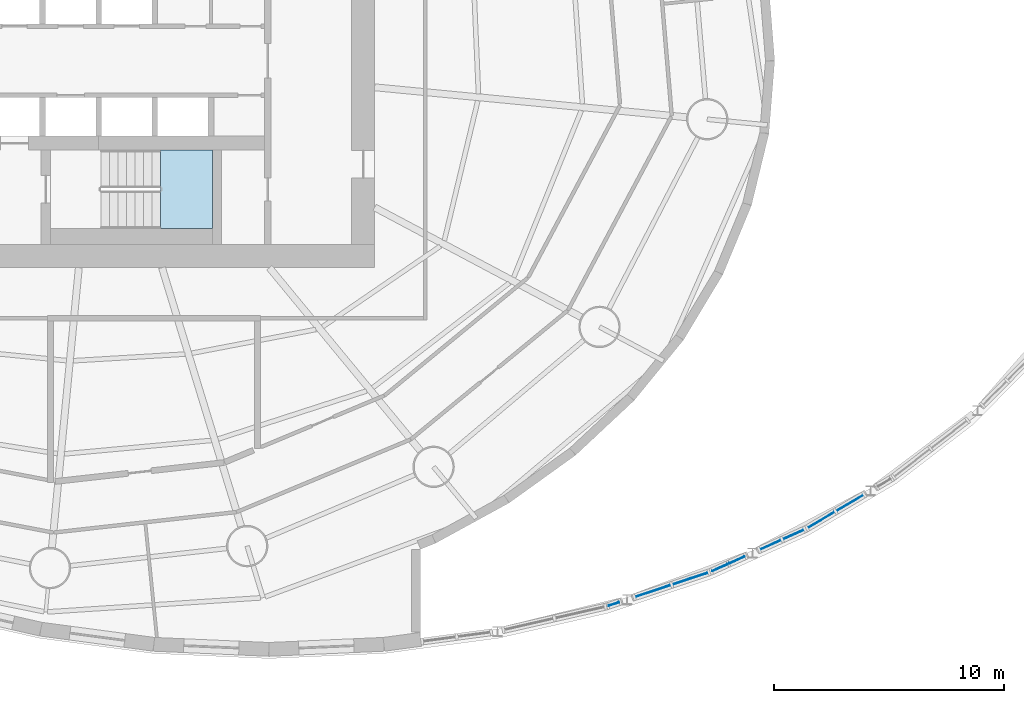
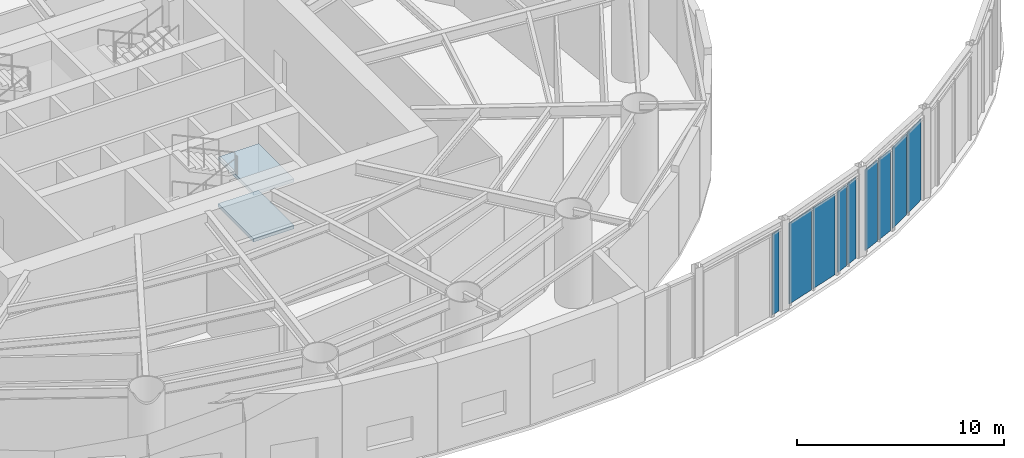
# One storey, part 10 of 19: 9 plates, 2 slabs, 6 elements without a shape of their own.
"""IFC4 building model written with IfcOpenShell, lengths in metres."""

from ifc_helpers import new_model, si_unit, direction, frame, origin, origin_2d, place, context, subcontext, project, spatial, polyline, rectangle, outline, extrude, material, layer, layer_set, type_object, element, aggregate, save


model = new_model("IFC4")

# Units and contexts
model_context = context("Model", 3, precision=1e-05, world=origin(), true_north=direction((0.0, 1.0)))
body_context = subcontext(model_context, "Body", "Model", "MODEL_VIEW")
ifc_project = project(units=[si_unit("LENGTHUNIT", "METRE"), si_unit("AREAUNIT", "SQUARE_METRE"), si_unit("VOLUMEUNIT", "CUBIC_METRE"), si_unit("PLANEANGLEUNIT", "RADIAN"), si_unit("MASSUNIT", "GRAM", prefix="KILO")], contexts=[model_context])

# Site, building, storey
site_placement = place(None, origin())
site = spatial("IfcSite", under=ifc_project, at=site_placement, CompositionType="ELEMENT")
building_placement = place(site_placement, origin())
building = spatial("IfcBuilding", under=site, at=building_placement, Name="Vermilion Reach Broadcast Tower", CompositionType="ELEMENT")
storey_placement = place(building_placement, frame((0.0, 0.0, 26.0)))
storey = spatial("IfcBuildingStorey", under=building, at=storey_placement, Name="L03", CompositionType="ELEMENT", Elevation=26.0)

# Curtain wall, plate
ifc_material_1 = material(Name="Low-e laminated clear glass in aluminium frame", Category="aluminium")
curtain_wall_type = type_object("IfcCurtainWallType", Name="Atrium outer wall curtain wall", PredefinedType="NOTDEFINED", material=ifc_material_1)
placement = place(storey_placement, origin())
curtain_wall_1 = element("IfcCurtainWall", 1, at=placement, inside=storey, type_object=curtain_wall_type, Name="Atrium wall L03 03-1", PredefinedType="NOTDEFINED")
ifc_material_2 = material(Name="Low-e laminated clear glass", Category="glass")
ifc_layer_1 = layer(ifc_material_2, 0.035888671875)
ifc_layer_set_1 = layer_set([ifc_layer_1], Name="Atrium outer wall glass panel")
plate_type = type_object("IfcPlateType", Name="Atrium outer wall glass panel", PredefinedType="CURTAIN_PANEL", material=ifc_layer_set_1)
plate_1_placement = place(storey_placement, frame((16.40771484375, -23.626708984375, 0.0), z_axis=(0.0, 0.0, 1.0), x_axis=(0.949015935462, 0.315228098746, 0.0)))
plate_1 = element("IfcPlate", 2, at=plate_1_placement, type_object=plate_type, Name="Atrium wall glass panel L03 03-1.1.1", PredefinedType="CURTAIN_PANEL", context=body_context, shape_type="SweptSolid", body=[
    extrude(rectangle(XDim=0.467529296875, YDim=0.035888671875, at=origin_2d()), origin(), (0.0, 0.0, 1.0), 4.7900390625),
])
aggregate(curtain_wall_1, [plate_1])

# Curtain wall, plates
curtain_wall_2 = element("IfcCurtainWall", 3, at=placement, inside=storey, type_object=curtain_wall_type, Name="Atrium wall L03 03-2", PredefinedType="NOTDEFINED")
plate_2_placement = place(storey_placement, frame((18.10498046875, -23.06298828125, 0.0), z_axis=(0.0, 0.0, 1.0), x_axis=(0.949015935462, 0.315228098746, 0.0)))
plate_2 = element("IfcPlate", 4, at=plate_2_placement, type_object=plate_type, Name="Atrium wall glass panel L03 03-2.1.1", PredefinedType="CURTAIN_PANEL", context=body_context, shape_type="SweptSolid", body=[
    extrude(rectangle(XDim=1.61328125, YDim=0.035888671875, at=origin_2d()), origin(), (0.0, 0.0, 1.0), 4.7900390625),
])
plate_3_placement = place(storey_placement, frame((19.73095703125, -22.52294921875, 0.0), z_axis=(0.0, 0.0, 1.0), x_axis=(0.949015935462, 0.315228098746, 0.0)))
plate_3 = element("IfcPlate", 5, at=plate_3_placement, type_object=plate_type, Name="Atrium wall glass panel L03 03-2.2.1", PredefinedType="CURTAIN_PANEL", context=body_context, shape_type="SweptSolid", body=[
    extrude(rectangle(XDim=1.61328125, YDim=0.035888671875, at=origin_2d()), origin(), (0.0, 0.0, 1.0), 4.7900390625),
])
aggregate(curtain_wall_2, [plate_2, plate_3])

curtain_wall_3 = element("IfcCurtainWall", 6, at=placement, inside=storey, type_object=curtain_wall_type, Name="Atrium wall L03 04-1", PredefinedType="NOTDEFINED")
plate_4_placement = place(storey_placement, frame((21.01171875, -22.048095703125, 0.0), z_axis=(0.0, 0.0, 1.0), x_axis=(0.911902064418, 0.410407876277, 0.0)))
plate_4 = element("IfcPlate", 7, at=plate_4_placement, type_object=plate_type, Name="Atrium wall glass panel L03 04-1.1.1", PredefinedType="CURTAIN_PANEL", context=body_context, shape_type="SweptSolid", body=[
    extrude(rectangle(XDim=0.721923828125, YDim=0.035888671875, at=origin_2d()), origin(), (0.0, 0.0, 1.0), 4.7900390625),
])
plate_5_placement = place(storey_placement, frame((21.76123046875, -21.710693359375, 0.0), z_axis=(0.0, 0.0, 1.0), x_axis=(0.911902064418, 0.410407876277, 0.0)))
plate_5 = element("IfcPlate", 8, at=plate_5_placement, type_object=plate_type, Name="Atrium wall glass panel L03 04-1.2.1", PredefinedType="CURTAIN_PANEL", context=body_context, shape_type="SweptSolid", body=[
    extrude(rectangle(XDim=0.721923828125, YDim=0.035888671875, at=origin_2d()), origin(), (0.0, 0.0, 1.0), 4.7900390625),
])
aggregate(curtain_wall_3, [plate_4, plate_5])

curtain_wall_4 = element("IfcCurtainWall", 9, at=placement, inside=storey, type_object=curtain_wall_type, Name="Atrium wall L03 04-2", PredefinedType="NOTDEFINED")
plate_6_placement = place(storey_placement, frame((23.223876953125, -21.052490234375, 0.0), z_axis=(0.0, 0.0, 1.0), x_axis=(0.911902064418, 0.410407876277, 0.0)))
plate_6 = element("IfcPlate", 10, at=plate_6_placement, type_object=plate_type, Name="Atrium wall glass panel L03 04-2.1.1", PredefinedType="CURTAIN_PANEL", context=body_context, shape_type="SweptSolid", body=[
    extrude(rectangle(XDim=0.990234375, YDim=0.035888671875, at=origin_2d()), origin(), (0.0, 0.0, 1.0), 4.7900390625),
])
plate_7_placement = place(storey_placement, frame((24.218017578125, -20.60498046875, 0.0), z_axis=(0.0, 0.0, 1.0), x_axis=(0.911902064418, 0.410407876277, 0.0)))
plate_7 = element("IfcPlate", 11, at=plate_7_placement, type_object=plate_type, Name="Atrium wall glass panel L03 04-2.2.1", PredefinedType="CURTAIN_PANEL", context=body_context, shape_type="SweptSolid", body=[
    extrude(rectangle(XDim=0.990234375, YDim=0.035888671875, at=origin_2d()), origin(), (0.0, 0.0, 1.0), 4.7900390625),
])
aggregate(curtain_wall_4, [plate_6, plate_7])

curtain_wall_5 = element("IfcCurtainWall", 12, at=placement, inside=storey, type_object=curtain_wall_type, Name="Atrium wall L03 05-1", PredefinedType="NOTDEFINED")
plate_8_placement = place(storey_placement, frame((25.42578125, -19.968017578125, 0.0), z_axis=(0.0, 0.0, 1.0), x_axis=(0.861009057017, 0.508589622127, 0.0)))
plate_8 = element("IfcPlate", 13, at=plate_8_placement, type_object=plate_type, Name="Atrium wall glass panel L03 05-1.1.1", PredefinedType="CURTAIN_PANEL", context=body_context, shape_type="SweptSolid", body=[
    extrude(rectangle(XDim=1.344970703125, YDim=0.035888671875, at=origin_2d()), origin(), (0.0, 0.0, 1.0), 4.7900390625),
])
plate_9_placement = place(storey_placement, frame((26.669677734375, -19.233154296875, 0.0), z_axis=(0.0, 0.0, 1.0), x_axis=(0.861009057017, 0.508589622127, 0.0)))
plate_9 = element("IfcPlate", 14, at=plate_9_placement, type_object=plate_type, Name="Atrium wall glass panel L03 05-1.2.1", PredefinedType="CURTAIN_PANEL", context=body_context, shape_type="SweptSolid", body=[
    extrude(rectangle(XDim=1.344970703125, YDim=0.035888671875, at=origin_2d()), origin(), (0.0, 0.0, 1.0), 4.7900390625),
])
aggregate(curtain_wall_5, [plate_8, plate_9])

# Stair, slabs
ifc_material_3 = material(Name="Concrete C40", Category="concrete")
stair_type = type_object("IfcStairType", Name="Exit stair RC 32 risers 172 mm", PredefinedType="HALF_TURN_STAIR", material=ifc_material_3)
stair = element("IfcStair", 15, at=placement, inside=storey, type_object=stair_type, Name="L03 Exit stair ST3", PredefinedType="HALF_TURN_STAIR")
ifc_material_4 = material(Name="Concrete C40", Category="concrete")
ifc_layer_2 = layer(ifc_material_4, 0.199951171875)
ifc_layer_set_2 = layer_set([ifc_layer_2], Name="Exit stair landing Concrete C40")
slab_type = type_object("IfcSlabType", Name="Exit stair landing Concrete C40", PredefinedType="LANDING", material=ifc_layer_set_2)
slab_1_placement = place(storey_placement, frame((0.0, 0.0, 1.175048828125)))
slab_1 = element("IfcSlab", 16, at=slab_1_placement, type_object=slab_type, Name="ST3 landing 1", PredefinedType="LANDING", context=body_context, shape_type="SweptSolid", body=[
    extrude(outline(polyline([(-3.31005859375, -7.300048828125), (-1.050048828125, -7.300048828125), (-1.050048828125, -3.8798828125), (-3.31005859375, -3.8798828125), (-3.31005859375, -7.300048828125)])), origin(), (0.0, 0.0, 1.0), 0.199951171875),
])
slab_2_placement = place(storey_placement, frame((0.0, 0.0, 3.925048828125)))
slab_2 = element("IfcSlab", 17, at=slab_2_placement, type_object=slab_type, Name="ST3 landing 3", PredefinedType="LANDING", context=body_context, shape_type="SweptSolid", body=[
    extrude(outline(polyline([(-3.31005859375, -7.300048828125), (-1.050048828125, -7.300048828125), (-1.050048828125, -3.8798828125), (-3.31005859375, -3.8798828125), (-3.31005859375, -7.300048828125)])), origin(), (0.0, 0.0, 1.0), 0.199951171875),
])
aggregate(stair, [slab_1, slab_2])

save(model, "model.ifc")
